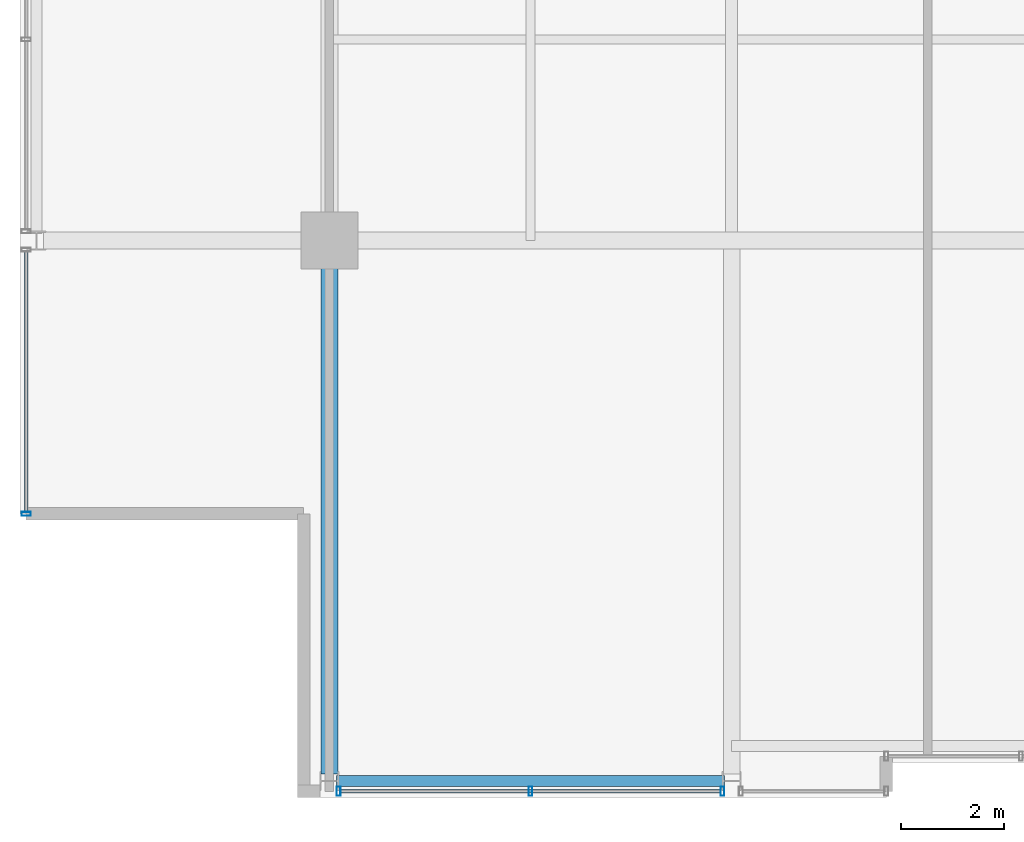
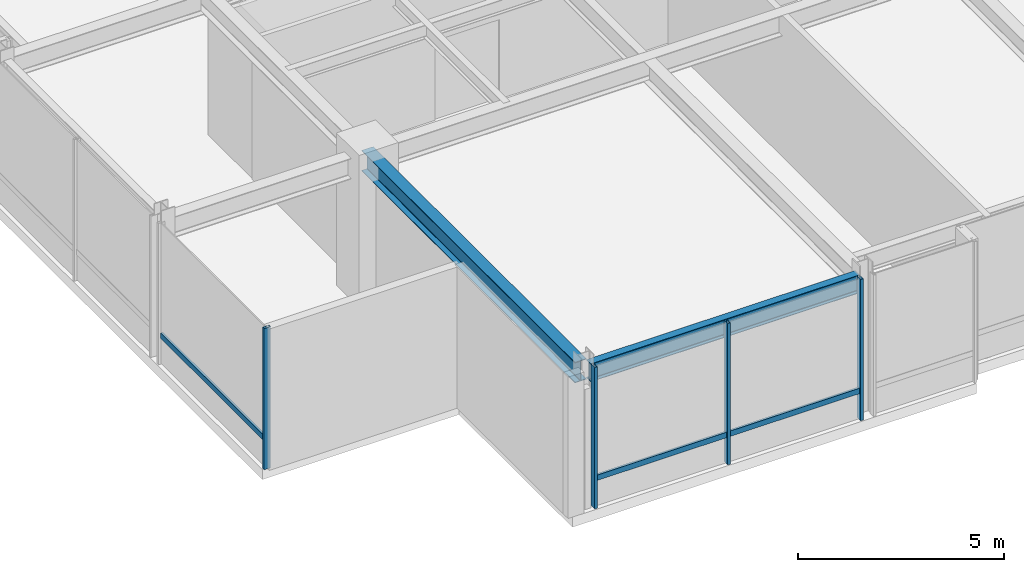
# One storey, part 3 of 32: 6 members, 2 beams, 2 elements without a shape of their own.
"""IFC4 building model written with IfcOpenShell, lengths in metres."""

from ifc_helpers import new_model, si_unit, direction, frame, origin, origin_2d, place, context, subcontext, project, spatial, hollow_rectangle, i_section, extrude, material, layer, layer_set, material_profile, profile_set, type_object, element, aggregate, save


model = new_model("IFC4")

# Units and contexts
model_context = context("Model", 3, precision=1e-05, world=origin(), true_north=direction((0.0, 1.0)))
body_context = subcontext(model_context, "Body", "Model", "MODEL_VIEW")
ifc_project = project(units=[si_unit("LENGTHUNIT", "METRE"), si_unit("AREAUNIT", "SQUARE_METRE"), si_unit("VOLUMEUNIT", "CUBIC_METRE"), si_unit("PLANEANGLEUNIT", "RADIAN"), si_unit("MASSUNIT", "GRAM", prefix="KILO")], contexts=[model_context])

# Site, building, storey
site_placement = place(None, origin())
site = spatial("IfcSite", under=ifc_project, at=site_placement, CompositionType="ELEMENT")
building_placement = place(site_placement, origin())
building = spatial("IfcBuilding", under=site, at=building_placement, Name="Drelvath Grand Hotel", CompositionType="ELEMENT")
storey_placement = place(building_placement, frame((0.0, 0.0, 255.5)))
storey = spatial("IfcBuildingStorey", under=building, at=storey_placement, Name="L67", CompositionType="ELEMENT", Elevation=255.5)

# Curtain wall, member
ifc_material_1 = material(Name="Platinum-Mist Anodised Aluminium Frame", Category="aluminium")
ifc_layer = layer(ifc_material_1, 0.199951171875)
ifc_layer_set = layer_set([ifc_layer], Name="Platinum-Mist Anodised Aluminium Frame")
curtain_wall_type = type_object("IfcCurtainWallType", Name="Stick Curtain Wall CW-05 Platinum Mist High-Rise", PredefinedType="NOTDEFINED", material=ifc_layer_set)
curtain_wall_1_placement = place(storey_placement, origin())
curtain_wall_1 = element("IfcCurtainWall", 1, at=curtain_wall_1_placement, inside=storey, type_object=curtain_wall_type, Name="L67 CW-05 Curtain Wall CW05-L67-WS1", PredefinedType="NOTDEFINED")
ifc_material_profile_1 = material_profile(ifc_material_1, hollow_rectangle(XDim=0.06494140625, YDim=0.159912109375, WallThickness=0.00390625, at=origin_2d()), Name="HSS160X65X4")
ifc_profile_set_1 = profile_set([ifc_material_profile_1], Name="Platinum-Mist Anodised Aluminium Frame")
member_type_1 = type_object("IfcMemberType", Name="Curtain Wall Horizontal Transom CW-05 HSS160X65X4", PredefinedType="USERDEFINED", material=ifc_profile_set_1)
member_1_placement = place(storey_placement, frame((-22.080078125, 5.5400390625, 0.85009765625), z_axis=(0.0, 1.0, 0.0), x_axis=(-1.0, 0.0, 0.0)))
member_1 = element("IfcMember", 2, at=member_1_placement, type_object=member_type_1, Name="CW05-L67-WS1 Sill Transom", ObjectType="TRANSOM", PredefinedType="USERDEFINED", context=body_context, shape_type="SweptSolid", body=[
    extrude(hollow_rectangle(XDim=0.06494140625, YDim=0.159912109375, WallThickness=0.00390625, at=origin_2d()), origin(), (0.0, 0.0, 1.0), 5.041748046875),
])

curtain_wall_2_placement = place(storey_placement, origin())
curtain_wall_2 = element("IfcCurtainWall", 3, at=curtain_wall_2_placement, inside=storey, type_object=curtain_wall_type, Name="L67 CW-05 Curtain Wall CW05-L67-SW2", PredefinedType="NOTDEFINED")
member_2_placement = place(storey_placement, frame((-8.6181640625, 0.1201171875, 0.85009765625), z_axis=(-1.0, 0.0, 0.0), x_axis=(0.0, -1.0, 0.0)))
member_2 = element("IfcMember", 4, at=member_2_placement, type_object=member_type_1, Name="CW05-L67-SW2 Sill Transom", ObjectType="TRANSOM", PredefinedType="USERDEFINED", context=body_context, shape_type="SweptSolid", body=[
    extrude(hollow_rectangle(XDim=0.06494140625, YDim=0.159912109375, WallThickness=0.00390625, at=origin_2d()), origin(), (0.0, 0.0, 1.0), 7.363525390625),
])

# Member
ifc_material_profile_2 = material_profile(ifc_material_1, hollow_rectangle(XDim=0.074951171875, YDim=0.179931640625, WallThickness=0.0048828125, at=origin_2d()), Name="HSS180X75X5")
ifc_profile_set_2 = profile_set([ifc_material_profile_2], Name="Platinum-Mist Anodised Aluminium Frame")
member_type_2 = type_object("IfcMemberType", Name="Curtain Wall Vertical Mullion CW-05 HSS180X75X5", PredefinedType="MULLION", material=ifc_profile_set_2)
member_3_placement = place(storey_placement, frame((-22.080078125, 5.5, 0.0), z_axis=(0.0, 0.0, 1.0), x_axis=(0.0, 1.0, 0.0)))
member_3 = element("IfcMember", 5, at=member_3_placement, type_object=member_type_2, Name="CW05-L67-WS1 Mullion 1", PredefinedType="MULLION", context=body_context, shape_type="SweptSolid", body=[
    extrude(hollow_rectangle(XDim=0.074951171875, YDim=0.179931640625, WallThickness=0.0048828125, at=origin_2d()), origin(), (0.0, 0.0, 1.0), 4.179931640625),
])

aggregate(curtain_wall_1, [member_3, member_1])

member_4_placement = place(storey_placement, frame((-8.578125, 0.1201171875, 0.0), z_axis=(0.0, 0.0, 1.0), x_axis=(1.0, 0.0, 0.0)))
member_4 = element("IfcMember", 6, at=member_4_placement, type_object=member_type_2, Name="CW05-L67-SW2 Mullion 1", PredefinedType="MULLION", context=body_context, shape_type="SweptSolid", body=[
    extrude(hollow_rectangle(XDim=0.074951171875, YDim=0.179931640625, WallThickness=0.0048828125, at=origin_2d()), origin(), (0.0, 0.0, 1.0), 4.179931640625),
])

member_5_placement = place(storey_placement, frame((-12.300048828125, 0.1201171875, 0.0), z_axis=(0.0, 0.0, 1.0), x_axis=(1.0, 0.0, 0.0)))
member_5 = element("IfcMember", 7, at=member_5_placement, type_object=member_type_2, Name="CW05-L67-SW2 Mullion 2", PredefinedType="MULLION", context=body_context, shape_type="SweptSolid", body=[
    extrude(hollow_rectangle(XDim=0.074951171875, YDim=0.179931640625, WallThickness=0.0048828125, at=origin_2d()), origin(), (0.0, 0.0, 1.0), 4.179931640625),
])

member_6_placement = place(storey_placement, frame((-16.021728515625, 0.1201171875, 0.0), z_axis=(0.0, 0.0, 1.0), x_axis=(1.0, 0.0, 0.0)))
member_6 = element("IfcMember", 8, at=member_6_placement, type_object=member_type_2, Name="CW05-L67-SW2 Mullion 3", PredefinedType="MULLION", context=body_context, shape_type="SweptSolid", body=[
    extrude(hollow_rectangle(XDim=0.074951171875, YDim=0.179931640625, WallThickness=0.0048828125, at=origin_2d()), origin(), (0.0, 0.0, 1.0), 4.179931640625),
])

aggregate(curtain_wall_2, [member_4, member_5, member_6, member_2])

# Beams
ifc_material_2 = material(Name="Steel ASTM A992 Gr 50", Category="steel")
ifc_material_profile_3 = material_profile(ifc_material_2, i_section(OverallWidth=0.210205078125, OverallDepth=0.53662109375, WebThickness=0.010986328125, FlangeThickness=0.017333984375, FilletRadius=0.01806640625, at=origin_2d()), Name="W21X68")
ifc_profile_set_3 = profile_set([ifc_material_profile_3], Name="Steel ASTM A992 Gr 50")
beam_type_1 = type_object("IfcBeamType", Name="Perimeter Spandrel Beam W21X68", PredefinedType="SPANDREL", material=ifc_profile_set_3)
beam_1_placement = place(storey_placement, frame((-16.06005859375, 0.320068359375, 3.91162109375), z_axis=(1.0, 0.0, 0.0), x_axis=(0.0, 1.0, 0.0)))
element("IfcBeam", 9, at=beam_1_placement, inside=storey, type_object=beam_type_1, Name="L67 Spandrel South W", PredefinedType="SPANDREL", context=body_context, shape_type="SweptSolid", body=[
    extrude(i_section(OverallWidth=0.210205078125, OverallDepth=0.53662109375, WebThickness=0.010986328125, FlangeThickness=0.017333984375, FilletRadius=0.01806640625, at=origin_2d()), origin(), (0.0, 0.0, 1.0), 7.52001953125),
])
ifc_material_profile_4 = material_profile(ifc_material_2, i_section(OverallWidth=0.323974609375, OverallDepth=0.611083984375, WebThickness=0.0126953125, FlangeThickness=0.01904296875, FilletRadius=0.02197265625, at=origin_2d()), Name="W24X104")
ifc_profile_set_4 = profile_set([ifc_material_profile_4], Name="Steel ASTM A992 Gr 50")
beam_type_2 = type_object("IfcBeamType", Name="Primary Floor Girder W24X104", PredefinedType="BEAM", material=ifc_profile_set_4)
beam_2_placement = place(storey_placement, frame((-16.199951171875, 0.4599609375, 3.87451171875), z_axis=(0.0, 1.0, 0.0), x_axis=(-1.0, 0.0, 0.0)))
element("IfcBeam", 10, at=beam_2_placement, inside=storey, type_object=beam_type_2, Name="L67 South Grid Girder 3", PredefinedType="BEAM", context=body_context, shape_type="SweptSolid", body=[
    extrude(i_section(OverallWidth=0.323974609375, OverallDepth=0.611083984375, WebThickness=0.0126953125, FlangeThickness=0.01904296875, FilletRadius=0.02197265625, at=origin_2d()), origin(), (0.0, 0.0, 1.0), 10.340087890625),
])

save(model, "model.ifc")
